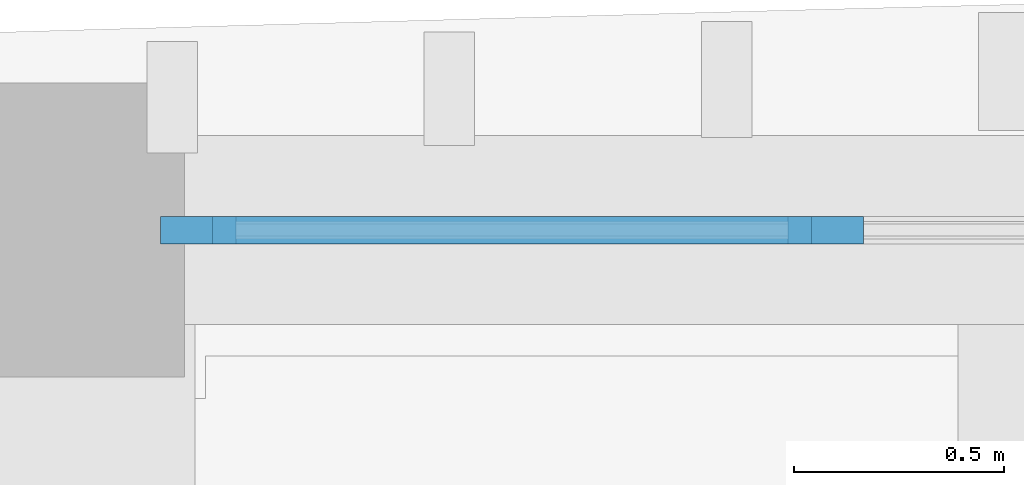
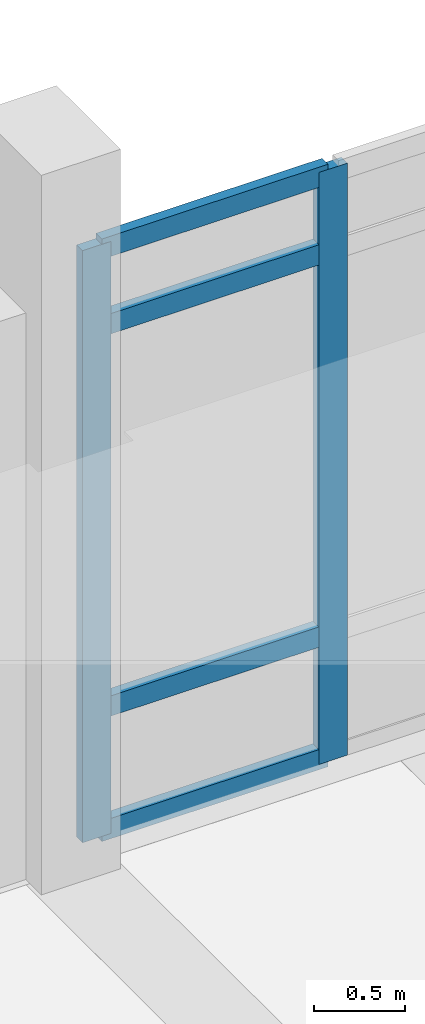
# One storey, part 34 of 101: 6 members, 1 element without a shape of its own.
"""IFC4 building model written with IfcOpenShell, lengths in metres."""

from ifc_helpers import new_model, si_unit, direction, frame, origin, origin_2d, place, context, subcontext, project, spatial, rectangle, extrude, material, material_profile, profile_set, type_object, element, aggregate, save


model = new_model("IFC4")

# Units and contexts
model_context = context("Model", 3, precision=1e-05, world=origin(), true_north=direction((0.0, 1.0)))
body_context = subcontext(model_context, "Body", "Model", "MODEL_VIEW")
ifc_project = project(units=[si_unit("LENGTHUNIT", "METRE"), si_unit("AREAUNIT", "SQUARE_METRE"), si_unit("VOLUMEUNIT", "CUBIC_METRE"), si_unit("PLANEANGLEUNIT", "RADIAN"), si_unit("MASSUNIT", "GRAM", prefix="KILO")], contexts=[model_context])

# Site, building, storey
site_placement = place(None, origin())
site = spatial("IfcSite", under=ifc_project, at=site_placement, CompositionType="ELEMENT")
building_placement = place(site_placement, origin())
building = spatial("IfcBuilding", under=site, at=building_placement, Name="Dornvale Research Institute", CompositionType="ELEMENT")
storey_placement = place(building_placement, frame((0.0, 0.0, 10.199951171875)))
storey = spatial("IfcBuildingStorey", under=building, at=storey_placement, Name="L02", CompositionType="ELEMENT", Elevation=10.199951171875)

# Curtain wall, members
ifc_material_1 = material(Name="Low-E Argon Double Insulating Glazing Unit", Category="glass")
curtain_wall_type = type_object("IfcCurtainWallType", Name="UnitisedCurtainWall_V4_6100x3950", PredefinedType="USERDEFINED", material=ifc_material_1)
curtain_wall_placement = place(storey_placement, origin())
curtain_wall = element("IfcCurtainWall", 1, at=curtain_wall_placement, inside=storey, type_object=curtain_wall_type, Name="L02 V4 unitised curtain wall CW-11 #82", ObjectType="UNITISED CURTAIN WALL", PredefinedType="USERDEFINED")
ifc_material_2 = material(Name="Anodized Aluminum AA 6063-T6 Thermally Broken Frame", Category="aluminium")
ifc_material_profile_1 = material_profile(ifc_material_2, rectangle(XDim=0.06494140625, YDim=0.179931640625, at=origin_2d()), Name="ALU MULLION 65x180")
ifc_profile_set_1 = profile_set([ifc_material_profile_1], Name="Anodized Aluminum AA 6063-T6 Thermally Broken Frame")
member_type_1 = type_object("IfcMemberType", Name="Mullion_CW_65x180", PredefinedType="MULLION", material=ifc_profile_set_1)
member_1_placement = place(storey_placement, frame((125.6826171875, 122.10009765625, 0.0), z_axis=(0.0, 0.0, 1.0), x_axis=(0.0, 1.0, 0.0)))
member_1 = element("IfcMember", 2, at=member_1_placement, type_object=member_type_1, Name="CW-11 mullion 1", PredefinedType="MULLION", context=body_context, shape_type="SweptSolid", body=[
    extrude(rectangle(XDim=0.06494140625, YDim=0.179931640625, at=origin_2d()), origin(), (0.0, 0.0, 1.0), 3.949951171875),
])
member_2_placement = place(storey_placement, frame((127.175048828125, 122.10009765625, 0.0), z_axis=(0.0, 0.0, 1.0), x_axis=(0.0, 1.0, 0.0)))
member_2 = element("IfcMember", 3, at=member_2_placement, type_object=member_type_1, Name="CW-11 mullion 2", PredefinedType="MULLION", context=body_context, shape_type="SweptSolid", body=[
    extrude(rectangle(XDim=0.06494140625, YDim=0.179931640625, at=origin_2d()), origin(), (0.0, 0.0, 1.0), 3.949951171875),
])
ifc_material_3 = material(Name="Anodized Aluminum AA 6063-T6 Thermally Broken Frame", Category="aluminium")
ifc_material_profile_2 = material_profile(ifc_material_3, rectangle(XDim=0.06494140625, YDim=0.135009765625, at=origin_2d()), Name="ALU TRANSOM 65x135")
ifc_profile_set_2 = profile_set([ifc_material_profile_2], Name="Anodized Aluminum AA 6063-T6 Thermally Broken Frame")
member_type_2 = type_object("IfcMemberType", Name="Transom_CW_65x135", PredefinedType="USERDEFINED", material=ifc_profile_set_2)
member_3_placement = place(storey_placement, frame((125.715087890625, 122.10009765625, 0.032470703125), z_axis=(1.0, 0.0, 0.0), x_axis=(0.0, 1.0, 0.0)))
member_3 = element("IfcMember", 4, at=member_3_placement, type_object=member_type_2, Name="CW-11 transom 1.1", ObjectType="TRANSOM", PredefinedType="USERDEFINED", context=body_context, shape_type="SweptSolid", body=[
    extrude(rectangle(XDim=0.06494140625, YDim=0.135009765625, at=origin_2d()), origin(), (0.0, 0.0, 1.0), 1.427490234375),
])
member_4_placement = place(storey_placement, frame((125.715087890625, 122.10009765625, 0.85009765625), z_axis=(1.0, 0.0, 0.0), x_axis=(0.0, 1.0, 0.0)))
member_4 = element("IfcMember", 5, at=member_4_placement, type_object=member_type_2, Name="CW-11 transom 1.2", ObjectType="TRANSOM", PredefinedType="USERDEFINED", context=body_context, shape_type="SweptSolid", body=[
    extrude(rectangle(XDim=0.06494140625, YDim=0.135009765625, at=origin_2d()), origin(), (0.0, 0.0, 1.0), 1.427490234375),
])
member_5_placement = place(storey_placement, frame((125.715087890625, 122.10009765625, 3.400146484375), z_axis=(1.0, 0.0, 0.0), x_axis=(0.0, 1.0, 0.0)))
member_5 = element("IfcMember", 6, at=member_5_placement, type_object=member_type_2, Name="CW-11 transom 1.3", ObjectType="TRANSOM", PredefinedType="USERDEFINED", context=body_context, shape_type="SweptSolid", body=[
    extrude(rectangle(XDim=0.06494140625, YDim=0.135009765625, at=origin_2d()), origin(), (0.0, 0.0, 1.0), 1.427490234375),
])
member_6_placement = place(storey_placement, frame((125.715087890625, 122.10009765625, 3.91748046875), z_axis=(1.0, 0.0, 0.0), x_axis=(0.0, 1.0, 0.0)))
member_6 = element("IfcMember", 7, at=member_6_placement, type_object=member_type_2, Name="CW-11 transom 1.4", ObjectType="TRANSOM", PredefinedType="USERDEFINED", context=body_context, shape_type="SweptSolid", body=[
    extrude(rectangle(XDim=0.06494140625, YDim=0.135009765625, at=origin_2d()), origin(), (0.0, 0.0, 1.0), 1.427490234375),
])
aggregate(curtain_wall, [member_1, member_2, member_3, member_4, member_5, member_6])

save(model, "model.ifc")
